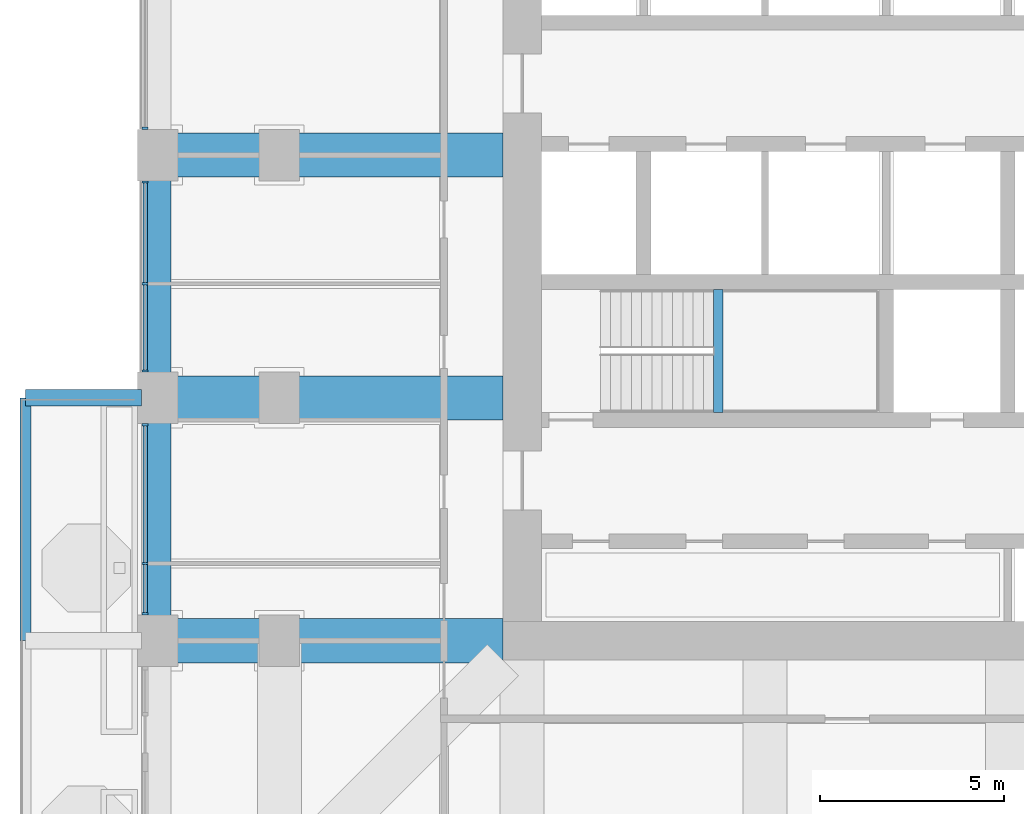
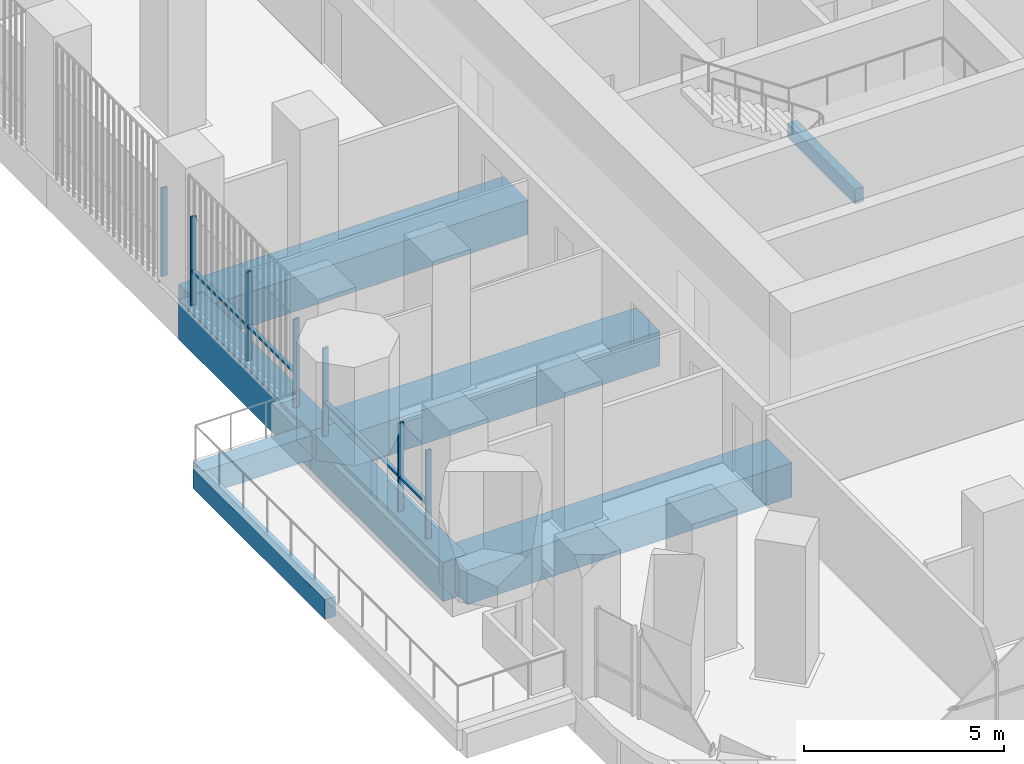
# One storey, part 4 of 21: 11 members, 8 beams, 3 elements without a shape of their own.
"""IFC4 building model written with IfcOpenShell, lengths in metres."""

from ifc_helpers import new_model, si_unit, direction, frame, origin, origin_2d, place, context, subcontext, project, spatial, rectangle, extrude, material, material_profile, profile_set, type_object, element, aggregate, save


model = new_model("IFC4")

# Units and contexts
model_context = context("Model", 3, precision=1e-05, world=origin(), true_north=direction((0.0, 1.0)))
body_context = subcontext(model_context, "Body", "Model", "MODEL_VIEW")
ifc_project = project(units=[si_unit("LENGTHUNIT", "METRE"), si_unit("AREAUNIT", "SQUARE_METRE"), si_unit("VOLUMEUNIT", "CUBIC_METRE"), si_unit("PLANEANGLEUNIT", "RADIAN"), si_unit("MASSUNIT", "GRAM", prefix="KILO")], contexts=[model_context])

# Site, building, storey
site_placement = place(None, origin())
site = spatial("IfcSite", under=ifc_project, at=site_placement, CompositionType="ELEMENT")
building_placement = place(site_placement, origin())
building = spatial("IfcBuilding", under=site, at=building_placement, Name="Cobogo Forest Laboratory Tower", CompositionType="ELEMENT")
storey_placement = place(building_placement, frame((0.0, 0.0, 124.199951171875)))
storey = spatial("IfcBuildingStorey", under=building, at=storey_placement, Name="L28", CompositionType="ELEMENT", Elevation=124.199951171875)

# Beams
ifc_material_1 = material(Name="Concrete HA-40 (C40/50)", Category="concrete")
ifc_material_profile_1 = material_profile(ifc_material_1, rectangle(XDim=0.449951171875, YDim=0.75, at=origin_2d()), Name="RC 450x750")
ifc_profile_set_1 = profile_set([ifc_material_profile_1], Name="Concrete HA-40 (C40/50)")
beam_type_1 = type_object("IfcBeamType", Name="Balcony cantilever beam 450x750", PredefinedType="BEAM", material=ifc_profile_set_1)
beam_1_placement = place(storey_placement, frame((2.85009765625, 19.800048828125, -0.625), z_axis=(-1.0, 0.0, 0.0), x_axis=(0.0, -1.0, 0.0)))
element("IfcBeam", 1, at=beam_1_placement, inside=storey, type_object=beam_type_1, Name="CB1 BAL-W1-C3 L28", PredefinedType="BEAM", context=body_context, shape_type="SweptSolid", body=[
    extrude(rectangle(XDim=0.449951171875, YDim=0.75, at=origin_2d()), origin(), (0.0, 0.0, 1.0), 3.150146484375),
])
ifc_material_profile_2 = material_profile(ifc_material_1, rectangle(XDim=0.300048828125, YDim=0.60009765625, at=origin_2d()), Name="RC 300x600")
ifc_profile_set_2 = profile_set([ifc_material_profile_2], Name="Concrete HA-40 (C40/50)")
beam_type_2 = type_object("IfcBeamType", Name="Balcony edge beam 300x600", PredefinedType="BEAM", material=ifc_profile_set_2)
beam_2_placement = place(storey_placement, frame((-0.300048828125, 13.199951171875, -0.550048828125), z_axis=(0.0, 1.0, 0.0), x_axis=(-1.0, 0.0, 0.0)))
element("IfcBeam", 2, at=beam_2_placement, inside=storey, type_object=beam_type_2, Name="BB1 BAL-W1-T2 L28", PredefinedType="BEAM", context=body_context, shape_type="SweptSolid", body=[
    extrude(rectangle(XDim=0.300048828125, YDim=0.60009765625, at=origin_2d()), origin(), (0.0, 0.0, 1.0), 6.60009765625),
])
ifc_material_profile_3 = material_profile(ifc_material_1, rectangle(XDim=0.25, YDim=0.449951171875, at=origin_2d()), Name="RC 250x450")
ifc_profile_set_3 = profile_set([ifc_material_profile_3], Name="Concrete HA-40 (C40/50)")
beam_type_3 = type_object("IfcBeamType", Name="LB1 landing beam 250x450", PredefinedType="BEAM", material=ifc_profile_set_3)
beam_3_placement = place(storey_placement, frame((18.530029296875, 19.39990234375, 1.675048828125), z_axis=(0.0, 1.0, 0.0), x_axis=(-1.0, 0.0, 0.0)))
element("IfcBeam", 3, at=beam_3_placement, inside=storey, type_object=beam_type_3, Name="Landing beam ST1 L28", PredefinedType="BEAM", context=body_context, shape_type="SweptSolid", body=[
    extrude(rectangle(XDim=0.25, YDim=0.449951171875, at=origin_2d()), origin(), (0.0, 0.0, 1.0), 3.35009765625),
])
ifc_material_profile_4 = material_profile(ifc_material_1, rectangle(XDim=1.199951171875, YDim=1.050048828125, at=origin_2d()), Name="RC 1200x1050")
ifc_profile_set_4 = profile_set([ifc_material_profile_4], Name="Concrete HA-40 (C40/50)")
beam_type_4 = type_object("IfcBeamType", Name="Laboratory floor wide beam 1200x1050", PredefinedType="BEAM", material=ifc_profile_set_4)
for number, where, z_axis, x_axis, name in (
    (4, (12.675048828125, 13.199951171875, -0.824951171875), (-1.0, 0.0, 0.0), (0.0, -1.0, 0.0), "RB1 R-C-W L28"),
    (5, (12.675048828125, 19.800048828125, -0.824951171875), (-1.0, 0.0, 0.0), (0.0, -1.0, 0.0), "RB1 R-D-W L28"),
    (6, (12.675048828125, 26.39990234375, -0.824951171875), (-1.0, 0.0, 0.0), (0.0, -1.0, 0.0), "RB1 R-E-W L28"),
):
    element("IfcBeam", number, at=place(storey_placement, frame(where, z_axis=z_axis, x_axis=x_axis)), inside=storey, type_object=beam_type_4, Name=name, PredefinedType="BEAM", context=body_context, shape_type="SweptSolid", body=[
        extrude(rectangle(XDim=1.199951171875, YDim=1.050048828125, at=origin_2d()), origin(), (0.0, 0.0, 1.0), 9.375),
    ])

# Curtain wall, member
ifc_material_2 = material(Name="Aluminium curtain wall", Category="aluminium")
curtain_wall_type = type_object("IfcCurtainWallType", Name="CW-1 unitised curtain wall, clear glazing, laboratory floors zones A and B", PredefinedType="USERDEFINED", material=ifc_material_2)
curtain_wall_1_placement = place(storey_placement, origin())
curtain_wall_1 = element("IfcCurtainWall", 7, at=curtain_wall_1_placement, inside=storey, type_object=curtain_wall_type, Name="Curtain wall 28 L28", ObjectType="UNITISED CURTAIN WALL", PredefinedType="USERDEFINED")
ifc_material_3 = material(Name="Aluminium mullion", Category="aluminium")
ifc_material_profile_5 = material_profile(ifc_material_3, rectangle(XDim=0.06005859375, YDim=0.159912109375, at=origin_2d()), Name="AL 60x160")
ifc_profile_set_5 = profile_set([ifc_material_profile_5], Name="Aluminium mullion")
member_type_1 = type_object("IfcMemberType", Name="MU-1 aluminium mullion 60x160", PredefinedType="MULLION", material=ifc_profile_set_5)
member_1_placement = place(storey_placement, frame((2.949951171875, 27.1298828125, 0.0), z_axis=(0.0, 0.0, 1.0), x_axis=(0.0, -1.0, 0.0)))
member_1 = element("IfcMember", 8, at=member_1_placement, type_object=member_type_1, Name="CW-1 mullion 2", PredefinedType="MULLION", context=body_context, shape_type="SweptSolid", body=[
    extrude(rectangle(XDim=0.06005859375, YDim=0.159912109375, at=origin_2d()), origin(), (0.0, 0.0, 1.0), 2.699951171875),
])
aggregate(curtain_wall_1, [member_1])

# Curtain wall, members
curtain_wall_2_placement = place(storey_placement, origin())
curtain_wall_2 = element("IfcCurtainWall", 9, at=curtain_wall_2_placement, inside=storey, type_object=curtain_wall_type, Name="Curtain wall 29 L28", ObjectType="UNITISED CURTAIN WALL", PredefinedType="USERDEFINED")
member_2_placement = place(storey_placement, frame((2.949951171875, 25.669921875, 0.0), z_axis=(0.0, 0.0, 1.0), x_axis=(0.0, -1.0, 0.0)))
member_2 = element("IfcMember", 10, at=member_2_placement, type_object=member_type_1, Name="CW-1 mullion 1", PredefinedType="MULLION", context=body_context, shape_type="SweptSolid", body=[
    extrude(rectangle(XDim=0.06005859375, YDim=0.159912109375, at=origin_2d()), origin(), (0.0, 0.0, 1.0), 2.699951171875),
])
member_3_placement = place(storey_placement, frame((2.949951171875, 22.89990234375, 0.0), z_axis=(0.0, 0.0, 1.0), x_axis=(0.0, -1.0, 0.0)))
member_3 = element("IfcMember", 11, at=member_3_placement, type_object=member_type_1, Name="CW-1 mullion 2", PredefinedType="MULLION", context=body_context, shape_type="SweptSolid", body=[
    extrude(rectangle(XDim=0.06005859375, YDim=0.159912109375, at=origin_2d()), origin(), (0.0, 0.0, 1.0), 2.699951171875),
])
member_4_placement = place(storey_placement, frame((2.949951171875, 20.530029296875, 0.0), z_axis=(0.0, 0.0, 1.0), x_axis=(0.0, -1.0, 0.0)))
member_4 = element("IfcMember", 12, at=member_4_placement, type_object=member_type_1, Name="CW-1 mullion 3", PredefinedType="MULLION", context=body_context, shape_type="SweptSolid", body=[
    extrude(rectangle(XDim=0.06005859375, YDim=0.159912109375, at=origin_2d()), origin(), (0.0, 0.0, 1.0), 2.699951171875),
])

curtain_wall_3_placement = place(storey_placement, origin())
curtain_wall_3 = element("IfcCurtainWall", 13, at=curtain_wall_3_placement, inside=storey, type_object=curtain_wall_type, Name="Curtain wall 30 L28", ObjectType="UNITISED CURTAIN WALL", PredefinedType="USERDEFINED")
member_5_placement = place(storey_placement, frame((2.949951171875, 19.070068359375, 0.0), z_axis=(0.0, 0.0, 1.0), x_axis=(0.0, -1.0, 0.0)))
member_5 = element("IfcMember", 14, at=member_5_placement, type_object=member_type_1, Name="CW-1 mullion 1", PredefinedType="MULLION", context=body_context, shape_type="SweptSolid", body=[
    extrude(rectangle(XDim=0.06005859375, YDim=0.159912109375, at=origin_2d()), origin(), (0.0, 0.0, 1.0), 2.699951171875),
])
member_6_placement = place(storey_placement, frame((2.949951171875, 15.300048828125, 0.0), z_axis=(0.0, 0.0, 1.0), x_axis=(0.0, -1.0, 0.0)))
member_6 = element("IfcMember", 15, at=member_6_placement, type_object=member_type_1, Name="CW-1 mullion 2", PredefinedType="MULLION", context=body_context, shape_type="SweptSolid", body=[
    extrude(rectangle(XDim=0.06005859375, YDim=0.159912109375, at=origin_2d()), origin(), (0.0, 0.0, 1.0), 2.699951171875),
])
member_7_placement = place(storey_placement, frame((2.949951171875, 13.929931640625, 0.0), z_axis=(0.0, 0.0, 1.0), x_axis=(0.0, -1.0, 0.0)))
member_7 = element("IfcMember", 16, at=member_7_placement, type_object=member_type_1, Name="CW-1 mullion 3", PredefinedType="MULLION", context=body_context, shape_type="SweptSolid", body=[
    extrude(rectangle(XDim=0.06005859375, YDim=0.159912109375, at=origin_2d()), origin(), (0.0, 0.0, 1.0), 2.699951171875),
])

# Beams
ifc_material_profile_6 = material_profile(ifc_material_1, rectangle(XDim=0.699951171875, YDim=1.199951171875, at=origin_2d()), Name="RC 700x1200")
ifc_profile_set_6 = profile_set([ifc_material_profile_6], Name="Concrete HA-40 (C40/50)")
beam_type_5 = type_object("IfcBeamType", Name="Perimeter edge beam 700x1200", PredefinedType="BEAM", material=ifc_profile_set_6)
beam_4_placement = place(storey_placement, frame((3.300048828125, 13.199951171875, -0.89990234375), z_axis=(0.0, 1.0, 0.0), x_axis=(-1.0, 0.0, 0.0)))
element("IfcBeam", 17, at=beam_4_placement, inside=storey, type_object=beam_type_5, Name="EB1 E-W2 L28", PredefinedType="BEAM", context=body_context, shape_type="SweptSolid", body=[
    extrude(rectangle(XDim=0.699951171875, YDim=1.199951171875, at=origin_2d()), origin(), (0.0, 0.0, 1.0), 6.60009765625),
])
beam_5_placement = place(storey_placement, frame((3.300048828125, 19.800048828125, -0.89990234375), z_axis=(0.0, 1.0, 0.0), x_axis=(-1.0, 0.0, 0.0)))
element("IfcBeam", 18, at=beam_5_placement, inside=storey, type_object=beam_type_5, Name="EB1 E-W3 L28", PredefinedType="BEAM", context=body_context, shape_type="SweptSolid", body=[
    extrude(rectangle(XDim=0.699951171875, YDim=1.199951171875, at=origin_2d()), origin(), (0.0, 0.0, 1.0), 6.599853515625),
])

# Member
ifc_material_4 = material(Name="Aluminium transom", Category="aluminium")
ifc_material_profile_7 = material_profile(ifc_material_4, rectangle(XDim=0.1201171875, YDim=0.06005859375, at=origin_2d()), Name="AL 60x120")
ifc_profile_set_7 = profile_set([ifc_material_profile_7], Name="Aluminium transom")
member_type_2 = type_object("IfcMemberType", Name="TR-1 aluminium transom 60x120", PredefinedType="USERDEFINED", material=ifc_profile_set_7)
member_8_placement = place(storey_placement, frame((2.949951171875, 25.639892578125, 1.050048828125), z_axis=(0.0, -1.0, 0.0), x_axis=(1.0, 0.0, 0.0)))
member_8 = element("IfcMember", 19, at=member_8_placement, type_object=member_type_2, Name="CW-1 transom 1.1", ObjectType="TRANSOM", PredefinedType="USERDEFINED", context=body_context, shape_type="SweptSolid", body=[
    extrude(rectangle(XDim=0.1201171875, YDim=0.06005859375, at=origin_2d()), origin(), (0.0, 0.0, 1.0), 2.7099609375),
])

member_9_placement = place(storey_placement, frame((2.949951171875, 22.8701171875, 1.050048828125), z_axis=(0.0, -1.0, 0.0), x_axis=(1.0, 0.0, 0.0)))
member_9 = element("IfcMember", 20, at=member_9_placement, type_object=member_type_2, Name="CW-1 transom 2.1", ObjectType="TRANSOM", PredefinedType="USERDEFINED", context=body_context, shape_type="SweptSolid", body=[
    extrude(rectangle(XDim=0.1201171875, YDim=0.06005859375, at=origin_2d()), origin(), (0.0, 0.0, 1.0), 2.31005859375),
])

aggregate(curtain_wall_2, [member_2, member_3, member_4, member_8, member_9])

member_10_placement = place(storey_placement, frame((2.949951171875, 19.0400390625, 1.050048828125), z_axis=(0.0, -1.0, 0.0), x_axis=(1.0, 0.0, 0.0)))
member_10 = element("IfcMember", 21, at=member_10_placement, type_object=member_type_2, Name="CW-1 transom 1.1", ObjectType="TRANSOM", PredefinedType="USERDEFINED", context=body_context, shape_type="SweptSolid", body=[
    extrude(rectangle(XDim=0.1201171875, YDim=0.06005859375, at=origin_2d()), origin(), (0.0, 0.0, 1.0), 3.7099609375),
])

member_11_placement = place(storey_placement, frame((2.949951171875, 15.27001953125, 1.050048828125), z_axis=(0.0, -1.0, 0.0), x_axis=(1.0, 0.0, 0.0)))
member_11 = element("IfcMember", 22, at=member_11_placement, type_object=member_type_2, Name="CW-1 transom 2.1", ObjectType="TRANSOM", PredefinedType="USERDEFINED", context=body_context, shape_type="SweptSolid", body=[
    extrude(rectangle(XDim=0.1201171875, YDim=0.06005859375, at=origin_2d()), origin(), (0.0, 0.0, 1.0), 1.31005859375),
])

aggregate(curtain_wall_3, [member_5, member_6, member_7, member_10, member_11])

save(model, "model.ifc")
